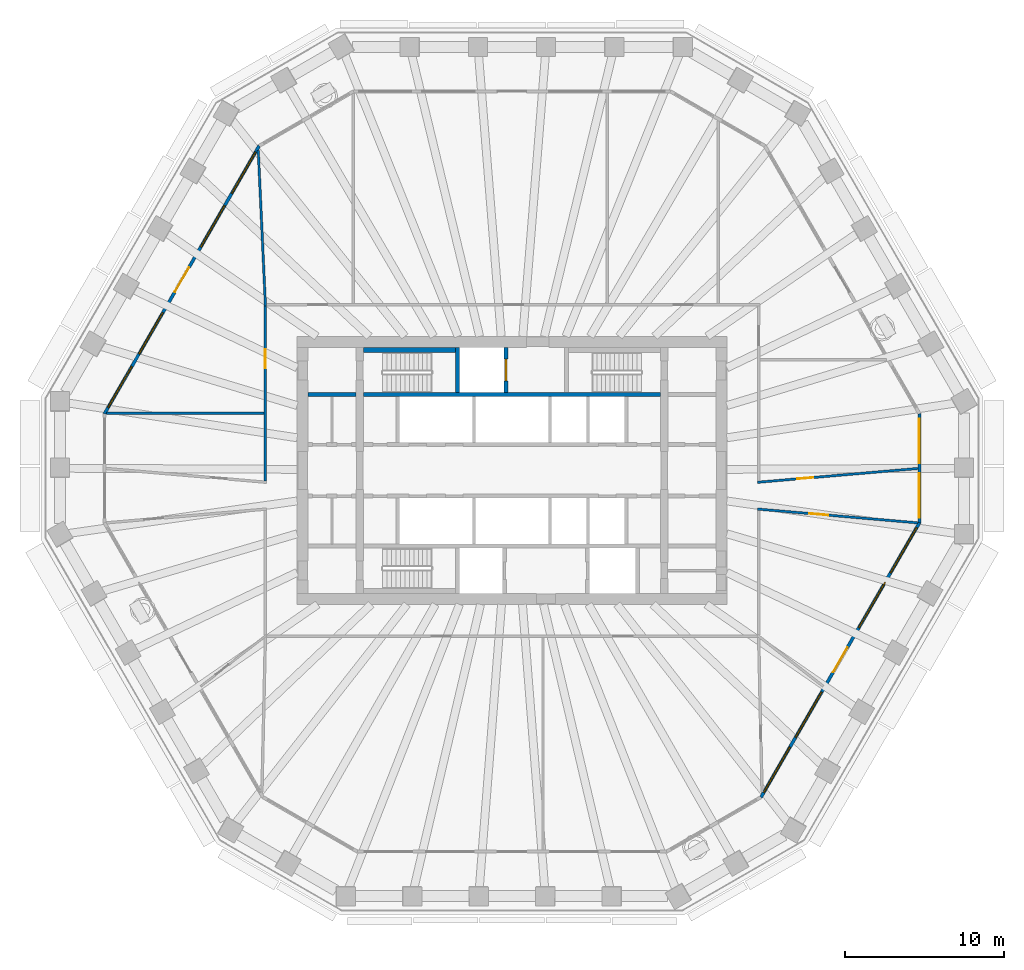
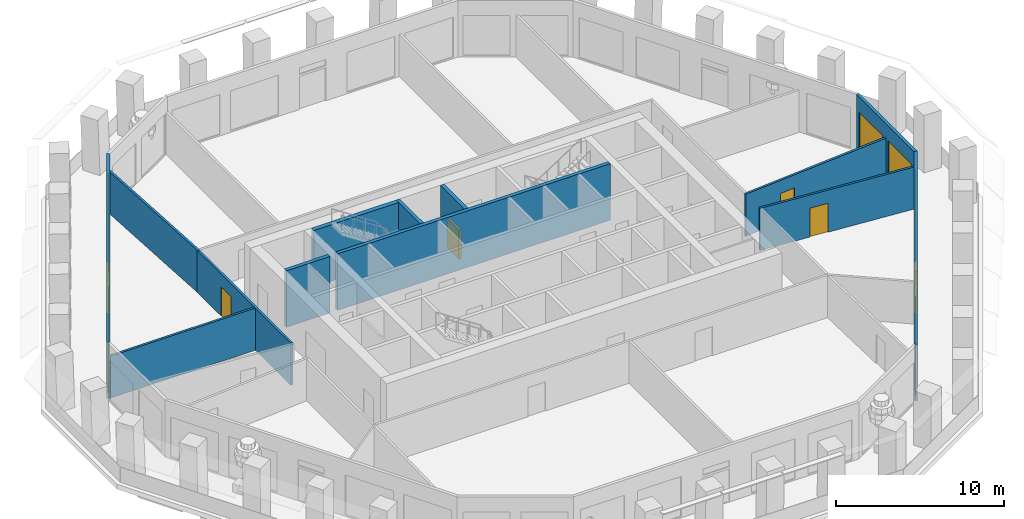
# One storey, part 6 of 12: 13 walls, 12 windows, 6 doors, 18 openings.
"""IFC4 building model written with IfcOpenShell, lengths in metres."""

from ifc_helpers import new_model, si_unit, direction, frame, frame_2d, origin, place, context, subcontext, project, spatial, polyline, rectangle, outline, extrude, material, layer, layer_set, type_object, element, fill, save


model = new_model("IFC4")

# Units and contexts
model_context = context("Model", 3, precision=1e-05, world=origin(), true_north=direction((0.0, 1.0)))
body_context = subcontext(model_context, "Body", "Model", "MODEL_VIEW")
ifc_project = project(units=[si_unit("LENGTHUNIT", "METRE"), si_unit("AREAUNIT", "SQUARE_METRE"), si_unit("VOLUMEUNIT", "CUBIC_METRE"), si_unit("PLANEANGLEUNIT", "RADIAN"), si_unit("MASSUNIT", "GRAM", prefix="KILO")], contexts=[model_context])

# Site, building, storey
site_placement = place(None, origin())
site = spatial("IfcSite", under=ifc_project, at=site_placement, CompositionType="ELEMENT")
building_placement = place(site_placement, origin())
building = spatial("IfcBuilding", under=site, at=building_placement, Name="Frailejon Research Tower", CompositionType="ELEMENT")
storey_placement = place(building_placement, frame((0.0, 0.0, 149.60009765625)))
storey = spatial("IfcBuildingStorey", under=building, at=storey_placement, Name="L32", CompositionType="ELEMENT", Elevation=149.60009765625)

# Wall, opening, door
ifc_material_1 = material(Name="Gypsum board and masonry partition", Category="masonry")
ifc_layer_1 = layer(ifc_material_1, 0.14990234375)
ifc_layer_set_1 = layer_set([ifc_layer_1], Name="Corridor wall EI 60, gypsum on steel studs 150")
wall_type_1 = type_object("IfcWallType", Name="Corridor wall EI 60, gypsum on steel studs 150", PredefinedType="PARTITIONING", material=ifc_layer_set_1)
wall_1_placement = place(storey_placement, frame((-15.550048828125, -0.668701171875, 0.0), z_axis=(0.0, 0.0, 1.0), x_axis=(0.0, 1.0, 0.0)))
wall_1 = element("IfcWall", 1, at=wall_1_placement, inside=storey, type_object=wall_type_1, Name="T:IW:L32:005", PredefinedType="PARTITIONING", context=body_context, shape_type="SweptSolid", body=[
    extrude(rectangle(XDim=11.193603515625, YDim=0.14990234375, at=frame_2d((5.5966796875, 0.0))), origin(), (0.0, 0.0, 1.0), 3.0498046875),
])
opening_1_placement = place(wall_1_placement, frame((7.094970703125, 0.0, 0.0)))
opening_1 = element("IfcOpeningElement", 2, at=opening_1_placement, cuts=wall_1, Name="Opening D1713", PredefinedType="OPENING", context=body_context, shape_type="SweptSolid", body=[
    extrude(rectangle(XDim=1.199951171875, YDim=2.10009765625, at=frame_2d((0.60009765625, 1.050048828125))), frame((0.0, 0.0849609375, 0.0), z_axis=(0.0, -1.0, 0.0), x_axis=(1.0, 0.0, 0.0)), (0.0, 0.0, 1.0), 0.169921875),
])
ifc_material_2 = material(Name="Timber door leaf", Category="wood")
door_type_1 = type_object("IfcDoorType", Name="Door laboratory, timber, vision panel 1200", OperationType="NOTDEFINED", PredefinedType="DOOR", material=ifc_material_2)
door_1_placement = place(opening_1_placement, origin())
door_1 = element("IfcDoor", 3, at=door_1_placement, inside=storey, type_object=door_type_1, Name="D1713", OperationType="DOUBLE_DOOR_SINGLE_SWING", OverallHeight=2.10009765625, OverallWidth=1.199951171875, PredefinedType="DOOR", context=body_context, shape_type="SweptSolid", body=[
    extrude(rectangle(XDim=1.199951171875, YDim=2.10009765625, at=frame_2d((0.60009765625, 1.050048828125))), frame((0.0, 0.02490234375, 0.0), z_axis=(0.0, -1.0, 0.0), x_axis=(1.0, 0.0, 0.0)), (0.0, 0.0, 1.0), 0.050048828125),
])
fill(opening_1, door_1)

wall_2_placement = place(storey_placement, frame((15.475341796875, -0.750244140625, 0.0), z_axis=(0.0, 0.0, 1.0), x_axis=(0.99631178891, 0.085806871974, 0.0)))
wall_2 = element("IfcWall", 4, at=wall_2_placement, inside=storey, type_object=wall_type_1, Name="T:IW:L32:009", PredefinedType="PARTITIONING", context=body_context, shape_type="SweptSolid", body=[
    extrude(rectangle(XDim=10.154541015625, YDim=0.14990234375, at=frame_2d((5.0771484375, 0.0))), origin(), (0.0, 0.0, 1.0), 3.0498046875),
])
opening_2_placement = place(wall_2_placement, frame((2.52001953125, 0.0, 0.0)))
opening_2 = element("IfcOpeningElement", 5, at=opening_2_placement, cuts=wall_2, Name="Opening D1708", PredefinedType="OPENING", context=body_context, shape_type="SweptSolid", body=[
    extrude(rectangle(XDim=1.0, YDim=2.10009765625, at=frame_2d((0.5, 1.050048828125))), frame((0.0, 0.0849609375, 0.0), z_axis=(0.0, -1.0, 0.0), x_axis=(1.0, 0.0, 0.0)), (0.0, 0.0, 1.0), 0.169921875),
])
ifc_material_3 = material(Name="Timber door leaf", Category="wood")
door_type_2 = type_object("IfcDoorType", Name="Door single leaf, timber, steel frame 1000", OperationType="NOTDEFINED", PredefinedType="DOOR", material=ifc_material_3)
door_2_placement = place(opening_2_placement, origin())
door_2 = element("IfcDoor", 6, at=door_2_placement, inside=storey, type_object=door_type_2, Name="D1708", OperationType="SINGLE_SWING_LEFT", OverallHeight=2.10009765625, OverallWidth=1.0, PredefinedType="DOOR", context=body_context, shape_type="SweptSolid", body=[
    extrude(rectangle(XDim=1.0, YDim=2.10009765625, at=frame_2d((0.5, 1.050048828125))), frame((0.0, 0.02490234375, 0.0), z_axis=(0.0, -1.0, 0.0), x_axis=(1.0, 0.0, 0.0)), (0.0, 0.0, 1.0), 0.050048828125),
])
fill(opening_2, door_2)

wall_3_placement = place(storey_placement, frame((15.475341796875, -2.437255859375, 0.0), z_axis=(0.0, 0.0, 1.0), x_axis=(0.99631166079, -0.085808359585, 0.0)))
wall_3 = element("IfcWall", 7, at=wall_3_placement, inside=storey, type_object=wall_type_1, Name="T:IW:L32:010", PredefinedType="PARTITIONING", context=body_context, shape_type="SweptSolid", body=[
    extrude(rectangle(XDim=10.134521484375, YDim=0.14990234375, at=frame_2d((5.0673828125, 0.0))), origin(), (0.0, 0.0, 1.0), 3.0498046875),
])
opening_3_placement = place(wall_3_placement, frame((3.281005859375, 0.0, 0.0)))
opening_3 = element("IfcOpeningElement", 8, at=opening_3_placement, cuts=wall_3, Name="Opening D1720", PredefinedType="OPENING", context=body_context, shape_type="SweptSolid", body=[
    extrude(rectangle(XDim=1.199951171875, YDim=2.10009765625, at=frame_2d((0.60009765625, 1.050048828125))), frame((0.0, 0.0849609375, 0.0), z_axis=(0.0, -1.0, 0.0), x_axis=(1.0, 0.0, 0.0)), (0.0, 0.0, 1.0), 0.169921875),
])
door_3_placement = place(opening_3_placement, origin())
door_3 = element("IfcDoor", 9, at=door_3_placement, inside=storey, type_object=door_type_1, Name="D1720", OperationType="DOUBLE_DOOR_SINGLE_SWING", OverallHeight=2.10009765625, OverallWidth=1.199951171875, PredefinedType="DOOR", context=body_context, shape_type="SweptSolid", body=[
    extrude(rectangle(XDim=1.199951171875, YDim=2.10009765625, at=frame_2d((0.60009765625, 1.050048828125))), frame((0.0, 0.02490234375, 0.0), z_axis=(0.0, -1.0, 0.0), x_axis=(1.0, 0.0, 0.0)), (0.0, 0.0, 1.0), 0.050048828125),
])
fill(opening_3, door_3)

# Walls
ifc_material_4 = material(Name="Gypsum board and masonry partition", Category="masonry")
ifc_layer_2 = layer(ifc_material_4, 0.14990234375)
ifc_layer_set_2 = layer_set([ifc_layer_2], Name="Laboratory partition, blockwork 150")
wall_type_2 = type_object("IfcWallType", Name="Laboratory partition, blockwork 150", PredefinedType="PARTITIONING", material=ifc_layer_set_2)
wall_4_placement = place(storey_placement, frame((-15.9990234375, 20.16552734375, 0.0), z_axis=(0.0, 0.0, 1.0), x_axis=(0.046182778753, -0.998933006235, 0.0)))
element("IfcWall", 10, at=wall_4_placement, inside=storey, type_object=wall_type_2, Name="T:IW:L32:015", PredefinedType="PARTITIONING", context=body_context, shape_type="SweptSolid", body=[
    extrude(rectangle(XDim=9.801025390625, YDim=0.14990234375, at=frame_2d((4.900390625, 0.0))), origin(), (0.0, 0.0, 1.0), 3.0498046875),
])
wall_5_placement = place(storey_placement, frame((-25.561767578125, 3.602294921875, 0.0), z_axis=(0.0, 0.0, 1.0), x_axis=(1.0, 0.0, 0.0)))
element("IfcWall", 11, at=wall_5_placement, inside=storey, type_object=wall_type_2, Name="T:IW:L32:016", PredefinedType="PARTITIONING", context=body_context, shape_type="SweptSolid", body=[
    extrude(rectangle(XDim=9.936767578125, YDim=0.14990234375, at=frame_2d((4.96826171875, 0.0))), origin(), (0.0, 0.0, 1.0), 3.0498046875),
])
ifc_material_5 = material(Name="Concrete C60/75", Category="concrete")
ifc_layer_3 = layer(ifc_material_5, 0.25)
ifc_layer_set_3 = layer_set([ifc_layer_3], Name="Shaft wall 250 C60/75")
wall_type_3 = type_object("IfcWallType", Name="Shaft wall 250 C60/75", PredefinedType="SOLIDWALL", material=ifc_layer_set_3)
wall_6_placement = place(storey_placement, frame((-12.85009765625, 4.77490234375, 0.0), z_axis=(0.0, 0.0, 1.0), x_axis=(1.0, 0.0, 0.0)))
element("IfcWall", 12, at=wall_6_placement, inside=storey, type_object=wall_type_3, Name="Shaft wall", PredefinedType="SOLIDWALL", context=body_context, shape_type="SweptSolid", body=[
    extrude(rectangle(XDim=3.0, YDim=0.25, at=frame_2d((1.5, 0.0))), origin(), (0.0, 0.0, 1.0), 4.099853515625),
])
wall_7_placement = place(storey_placement, frame((-9.35009765625, 4.77490234375, 0.0), z_axis=(0.0, 0.0, 1.0), x_axis=(1.0, 0.0, 0.0)))
element("IfcWall", 13, at=wall_7_placement, inside=storey, type_object=wall_type_3, Name="Shaft wall", PredefinedType="SOLIDWALL", context=body_context, shape_type="SweptSolid", body=[
    extrude(rectangle(XDim=18.7001953125, YDim=0.25, at=frame_2d((9.35009765625, 0.0))), origin(), (0.0, 0.0, 1.0), 4.099853515625),
])
wall_8_placement = place(storey_placement, frame((-3.425048828125, 4.89990234375, 0.0), z_axis=(0.0, 0.0, 1.0), x_axis=(0.0, 1.0, 0.0)))
element("IfcWall", 14, at=wall_8_placement, inside=storey, type_object=wall_type_3, Name="Shaft wall", PredefinedType="SOLIDWALL", context=body_context, shape_type="SweptSolid", body=[
    extrude(rectangle(XDim=2.85009765625, YDim=0.25, at=frame_2d((1.425048828125, 0.0))), origin(), (0.0, 0.0, 1.0), 4.099853515625),
])

# Wall, opening, door
wall_9_placement = place(storey_placement, frame((-0.375, 4.89990234375, 0.0), z_axis=(0.0, 0.0, 1.0), x_axis=(0.0, 1.0, 0.0)))
wall_9 = element("IfcWall", 15, at=wall_9_placement, inside=storey, type_object=wall_type_3, Name="Shaft wall", PredefinedType="SOLIDWALL", context=body_context, shape_type="SweptSolid", body=[
    extrude(rectangle(XDim=2.85009765625, YDim=0.25, at=frame_2d((1.425048828125, 0.0))), origin(), (0.0, 0.0, 1.0), 4.099853515625),
])
opening_4_placement = place(wall_9_placement, frame((0.72509765625, 0.0, 0.0)))
opening_4 = element("IfcOpeningElement", 16, at=opening_4_placement, cuts=wall_9, Name="Opening LD2", PredefinedType="OPENING", context=body_context, shape_type="SweptSolid", body=[
    extrude(rectangle(XDim=1.39990234375, YDim=2.10009765625, at=frame_2d((0.699951171875, 1.050048828125))), frame((0.0, 0.135009765625, 0.0), z_axis=(0.0, -1.0, 0.0), x_axis=(1.0, 0.0, 0.0)), (0.0, 0.0, 1.0), 0.27001953125),
])
ifc_material_6 = material(Name="Stainless steel", Category="steel")
door_type_3 = type_object("IfcDoorType", Name="Goods landing door", OperationType="DOUBLE_DOOR_SLIDING", PredefinedType="DOOR", material=ifc_material_6)
door_4_placement = place(opening_4_placement, origin())
door_4 = element("IfcDoor", 17, at=door_4_placement, inside=storey, type_object=door_type_3, Name="Lift landing door", OperationType="DOUBLE_DOOR_SLIDING", OverallHeight=2.10009765625, OverallWidth=1.39990234375, PredefinedType="DOOR", context=body_context, shape_type="SweptSolid", body=[
    extrude(rectangle(XDim=1.39990234375, YDim=2.10009765625, at=frame_2d((0.699951171875, 1.050048828125))), frame((0.0, 0.074951171875, 0.0), z_axis=(0.0, -1.0, 0.0), x_axis=(1.0, 0.0, 0.0)), (0.0, 0.0, 1.0), 0.14990234375),
])
fill(opening_4, door_4)

# Wall
ifc_material_7 = material(Name="Concrete C60/75", Category="concrete")
ifc_layer_4 = layer(ifc_material_7, 0.300048828125)
ifc_layer_set_4 = layer_set([ifc_layer_4], Name="Shaft wall 300 C60/75")
wall_type_4 = type_object("IfcWallType", Name="Shaft wall 300 C60/75", PredefinedType="SOLIDWALL", material=ifc_layer_set_4)
wall_10_placement = place(storey_placement, frame((-9.35009765625, 7.60009765625, 0.0), z_axis=(0.0, 0.0, 1.0), x_axis=(1.0, 0.0, 0.0)))
element("IfcWall", 18, at=wall_10_placement, inside=storey, type_object=wall_type_4, Name="Shaft wall", PredefinedType="SOLIDWALL", context=body_context, shape_type="SweptSolid", body=[
    extrude(rectangle(XDim=5.800048828125, YDim=0.300048828125, at=frame_2d((2.89990234375, 0.0))), origin(), (0.0, 0.0, 1.0), 4.099853515625),
])

# Wall, openings, windows
ifc_material_8 = material(Name="Concrete C40/50 precast window wall panel", Category="concrete")
ifc_layer_5 = layer(ifc_material_8, 0.199951171875)
ifc_layer_set_5 = layer_set([ifc_layer_5], Name="Window wall 200")
wall_type_5 = type_object("IfcWallType", Name="Window wall 200", PredefinedType="SOLIDWALL", material=ifc_layer_set_5)
wall_11_placement = place(storey_placement, frame((25.692626953125, -3.299072265625, 0.0), z_axis=(0.0, 0.0, 1.0), x_axis=(0.0, 1.0, 0.0)))
wall_11 = element("IfcWall", 19, at=wall_11_placement, inside=storey, type_object=wall_type_5, Name="Exterior wall L32", PredefinedType="SOLIDWALL", context=body_context, shape_type="SweptSolid", body=[
    extrude(outline(polyline([(-0.02685546875, -0.10009765625), (1.1279296875, -0.10009765625), (2.28271484375, -0.10009765625), (3.4375, -0.10009765625), (4.592041015625, -0.10009765625), (5.746826171875, -0.10009765625), (6.901611328125, -0.10009765625), (6.847900390625, 0.10009765625), (5.7109375, 0.10009765625), (4.57421875, 0.10009765625), (3.4375, 0.10009765625), (2.300537109375, 0.10009765625), (1.16357421875, 0.10009765625), (0.02685546875, 0.10009765625), (-0.02685546875, -0.10009765625)])), origin(), (0.0, 0.0, 1.0), 4.099853515625),
])
opening_5_placement = place(wall_11_placement, frame((0.318603515625, 0.0, 0.10009765625)))
opening_5 = element("IfcOpeningElement", 20, at=opening_5_placement, cuts=wall_11, Name="Opening W3", PredefinedType="OPENING", context=body_context, shape_type="SweptSolid", body=[
    extrude(rectangle(XDim=2.800048828125, YDim=2.89990234375, at=frame_2d((1.39990234375, 1.449951171875))), frame((0.0, 0.10986328125, 0.0), z_axis=(0.0, -1.0, 0.0), x_axis=(1.0, 0.0, 0.0)), (0.0, 0.0, 1.0), 0.219970703125),
])
opening_6_placement = place(wall_11_placement, frame((3.756103515625, 0.0, 0.10009765625)))
opening_6 = element("IfcOpeningElement", 21, at=opening_6_placement, cuts=wall_11, Name="Opening W3", PredefinedType="OPENING", context=body_context, shape_type="SweptSolid", body=[
    extrude(rectangle(XDim=2.800048828125, YDim=2.89990234375, at=frame_2d((1.39990234375, 1.449951171875))), frame((0.0, 0.10986328125, 0.0), z_axis=(0.0, -1.0, 0.0), x_axis=(1.0, 0.0, 0.0)), (0.0, 0.0, 1.0), 0.219970703125),
])
ifc_material_9 = material(Name="Aluminium framed double glazing", Category="aluminium")
window_type_1 = type_object("IfcWindowType", Name="Window 2800x2900", PartitioningType="SINGLE_PANEL", PredefinedType="WINDOW", material=ifc_material_9)
window_1_placement = place(opening_5_placement, origin())
window_1 = element("IfcWindow", 22, at=window_1_placement, inside=storey, type_object=window_type_1, Name="Window L32", OverallHeight=2.89990234375, OverallWidth=2.800048828125, PartitioningType="SINGLE_PANEL", PredefinedType="WINDOW", context=body_context, shape_type="SweptSolid", body=[
    extrude(rectangle(XDim=2.800048828125, YDim=2.89990234375, at=frame_2d((1.39990234375, 1.449951171875))), frame((0.0, 0.030029296875, 0.0), z_axis=(0.0, -1.0, 0.0), x_axis=(1.0, 0.0, 0.0)), (0.0, 0.0, 1.0), 0.06005859375),
])
fill(opening_5, window_1)
window_2_placement = place(opening_6_placement, origin())
window_2 = element("IfcWindow", 23, at=window_2_placement, inside=storey, type_object=window_type_1, Name="Window L32", OverallHeight=2.89990234375, OverallWidth=2.800048828125, PartitioningType="SINGLE_PANEL", PredefinedType="WINDOW", context=body_context, shape_type="SweptSolid", body=[
    extrude(rectangle(XDim=2.800048828125, YDim=2.89990234375, at=frame_2d((1.39990234375, 1.449951171875))), frame((0.0, 0.030029296875, 0.0), z_axis=(0.0, -1.0, 0.0), x_axis=(1.0, 0.0, 0.0)), (0.0, 0.0, 1.0), 0.06005859375),
])
fill(opening_6, window_2)

# Wall, openings, door, windows
wall_12_placement = place(storey_placement, frame((-15.94287109375, 20.462646484375, 0.0), z_axis=(0.0, 0.0, 1.0), x_axis=(-0.500002434251, -0.866023998365, 0.0)))
wall_12 = element("IfcWall", 24, at=wall_12_placement, inside=storey, type_object=wall_type_5, Name="Exterior wall L32", PredefinedType="SOLIDWALL", context=body_context, shape_type="SweptSolid", body=[
    extrude(outline(polyline([(-0.02685546875, -0.10009765625), (1.002197265625, -0.10009765625), (2.031494140625, -0.10009765625), (3.060546875, -0.10009765625), (4.089599609375, -0.10009765625), (5.11865234375, -0.10009765625), (6.14794921875, -0.10009765625), (7.177001953125, -0.10009765625), (8.2060546875, -0.10009765625), (9.235107421875, -0.10009765625), (10.264404296875, -0.10009765625), (11.29345703125, -0.10009765625), (12.322509765625, -0.10009765625), (13.3515625, -0.10009765625), (14.380859375, -0.10009765625), (15.409912109375, -0.10009765625), (16.43896484375, -0.10009765625), (17.468017578125, -0.10009765625), (18.497314453125, -0.10009765625), (19.5263671875, -0.10009765625), (19.47265625, 0.10009765625), (18.44921875, 0.10009765625), (17.42578125, 0.10009765625), (16.40234375, 0.10009765625), (15.37890625, 0.10009765625), (14.355224609375, 0.10009765625), (13.331787109375, 0.10009765625), (12.308349609375, 0.10009765625), (11.284912109375, 0.10009765625), (10.261474609375, 0.10009765625), (9.238037109375, 0.10009765625), (8.214599609375, 0.10009765625), (7.191162109375, 0.10009765625), (6.167724609375, 0.10009765625), (5.144287109375, 0.10009765625), (4.12060546875, 0.10009765625), (3.09716796875, 0.10009765625), (2.07373046875, 0.10009765625), (1.05029296875, 0.10009765625), (0.02685546875, 0.10009765625), (-0.02685546875, -0.10009765625)])), origin(), (0.0, 0.0, 1.0), 4.099853515625),
])
opening_7_placement = place(wall_12_placement, frame((0.449951171875, 0.0, 0.10009765625)))
opening_7 = element("IfcOpeningElement", 25, at=opening_7_placement, cuts=wall_12, Name="Opening W4", PredefinedType="OPENING", context=body_context, shape_type="SweptSolid", body=[
    extrude(rectangle(XDim=3.0, YDim=2.89990234375, at=frame_2d((1.5, 1.449951171875))), frame((0.0, 0.10986328125, 0.0), z_axis=(0.0, -1.0, 0.0), x_axis=(1.0, 0.0, 0.0)), (0.0, 0.0, 1.0), 0.219970703125),
])
opening_8_placement = place(wall_12_placement, frame((4.349853515625, 0.0, 0.10009765625)))
opening_8 = element("IfcOpeningElement", 26, at=opening_8_placement, cuts=wall_12, Name="Opening W4", PredefinedType="OPENING", context=body_context, shape_type="SweptSolid", body=[
    extrude(rectangle(XDim=3.0, YDim=2.89990234375, at=frame_2d((1.5, 1.449951171875))), frame((0.0, 0.10986328125, 0.0), z_axis=(0.0, -1.0, 0.0), x_axis=(1.0, 0.0, 0.0)), (0.0, 0.0, 1.0), 0.219970703125),
])
opening_9_placement = place(wall_12_placement, frame((8.849853515625, 0.0, 0.0)))
opening_9 = element("IfcOpeningElement", 27, at=opening_9_placement, cuts=wall_12, Name="Opening LG32-3", PredefinedType="OPENING", context=body_context, shape_type="SweptSolid", body=[
    extrude(rectangle(XDim=1.800048828125, YDim=2.39990234375, at=frame_2d((0.89990234375, 1.199951171875))), frame((0.0, 0.10986328125, 0.0), z_axis=(0.0, -1.0, 0.0), x_axis=(1.0, 0.0, 0.0)), (0.0, 0.0, 1.0), 0.219970703125),
])
opening_10_placement = place(wall_12_placement, frame((8.849853515625, 0.0, 2.550048828125)))
opening_10 = element("IfcOpeningElement", 28, at=opening_10_placement, cuts=wall_12, Name="Opening W1", PredefinedType="OPENING", context=body_context, shape_type="SweptSolid", body=[
    extrude(rectangle(XDim=1.800048828125, YDim=0.449951171875, at=frame_2d((0.89990234375, 0.22509765625))), frame((0.0, 0.10986328125, 0.0), z_axis=(0.0, -1.0, 0.0), x_axis=(1.0, 0.0, 0.0)), (0.0, 0.0, 1.0), 0.219970703125),
])
opening_11_placement = place(wall_12_placement, frame((12.149658203125, 0.0, 0.10009765625)))
opening_11 = element("IfcOpeningElement", 29, at=opening_11_placement, cuts=wall_12, Name="Opening W4", PredefinedType="OPENING", context=body_context, shape_type="SweptSolid", body=[
    extrude(rectangle(XDim=3.0, YDim=2.89990234375, at=frame_2d((1.5, 1.449951171875))), frame((0.0, 0.10986328125, 0.0), z_axis=(0.0, -1.0, 0.0), x_axis=(1.0, 0.0, 0.0)), (0.0, 0.0, 1.0), 0.219970703125),
])
opening_12_placement = place(wall_12_placement, frame((16.049560546875, 0.0, 0.10009765625)))
opening_12 = element("IfcOpeningElement", 30, at=opening_12_placement, cuts=wall_12, Name="Opening W4", PredefinedType="OPENING", context=body_context, shape_type="SweptSolid", body=[
    extrude(rectangle(XDim=3.0, YDim=2.89990234375, at=frame_2d((1.5, 1.449951171875))), frame((0.0, 0.10986328125, 0.0), z_axis=(0.0, -1.0, 0.0), x_axis=(1.0, 0.0, 0.0)), (0.0, 0.0, 1.0), 0.219970703125),
])
ifc_material_10 = material(Name="Aluminium framed glazed door leaf", Category="aluminium")
door_type_4 = type_object("IfcDoorType", Name="Loggia door 1800x2400", OperationType="DOUBLE_DOOR_SINGLE_SWING", PredefinedType="DOOR", material=ifc_material_10)
door_5_placement = place(opening_9_placement, origin())
door_5 = element("IfcDoor", 31, at=door_5_placement, inside=storey, type_object=door_type_4, Name="Door LG32-3", OperationType="DOUBLE_DOOR_SINGLE_SWING", OverallHeight=2.39990234375, OverallWidth=1.800048828125, PredefinedType="DOOR", context=body_context, shape_type="SweptSolid", body=[
    extrude(rectangle(XDim=1.800048828125, YDim=2.39990234375, at=frame_2d((0.89990234375, 1.199951171875))), frame((0.0, 0.02490234375, 0.0), z_axis=(0.0, -1.0, 0.0), x_axis=(1.0, 0.0, 0.0)), (0.0, 0.0, 1.0), 0.050048828125),
])
fill(opening_9, door_5)
ifc_material_11 = material(Name="Aluminium framed double glazing", Category="aluminium")
window_type_2 = type_object("IfcWindowType", Name="Window 1800x450", PartitioningType="SINGLE_PANEL", PredefinedType="WINDOW", material=ifc_material_11)
window_3_placement = place(opening_10_placement, origin())
window_3 = element("IfcWindow", 32, at=window_3_placement, inside=storey, type_object=window_type_2, Name="Window L32", OverallHeight=0.449951171875, OverallWidth=1.800048828125, PartitioningType="SINGLE_PANEL", PredefinedType="WINDOW", context=body_context, shape_type="SweptSolid", body=[
    extrude(rectangle(XDim=1.800048828125, YDim=0.449951171875, at=frame_2d((0.89990234375, 0.22509765625))), frame((0.0, 0.030029296875, 0.0), z_axis=(0.0, -1.0, 0.0), x_axis=(1.0, 0.0, 0.0)), (0.0, 0.0, 1.0), 0.06005859375),
])
fill(opening_10, window_3)
ifc_material_12 = material(Name="Aluminium framed double glazing", Category="aluminium")
window_type_3 = type_object("IfcWindowType", Name="Window 3000x2900", PartitioningType="SINGLE_PANEL", PredefinedType="WINDOW", material=ifc_material_12)
window_4_placement = place(opening_7_placement, origin())
window_4 = element("IfcWindow", 33, at=window_4_placement, inside=storey, type_object=window_type_3, Name="Window L32", OverallHeight=2.89990234375, OverallWidth=3.0, PartitioningType="SINGLE_PANEL", PredefinedType="WINDOW", context=body_context, shape_type="SweptSolid", body=[
    extrude(rectangle(XDim=3.0, YDim=2.89990234375, at=frame_2d((1.5, 1.449951171875))), frame((0.0, 0.030029296875, 0.0), z_axis=(0.0, -1.0, 0.0), x_axis=(1.0, 0.0, 0.0)), (0.0, 0.0, 1.0), 0.06005859375),
])
fill(opening_7, window_4)
window_5_placement = place(opening_8_placement, origin())
window_5 = element("IfcWindow", 34, at=window_5_placement, inside=storey, type_object=window_type_3, Name="Window L32", OverallHeight=2.89990234375, OverallWidth=3.0, PartitioningType="SINGLE_PANEL", PredefinedType="WINDOW", context=body_context, shape_type="SweptSolid", body=[
    extrude(rectangle(XDim=3.0, YDim=2.89990234375, at=frame_2d((1.5, 1.449951171875))), frame((0.0, 0.030029296875, 0.0), z_axis=(0.0, -1.0, 0.0), x_axis=(1.0, 0.0, 0.0)), (0.0, 0.0, 1.0), 0.06005859375),
])
fill(opening_8, window_5)
window_6_placement = place(opening_11_placement, origin())
window_6 = element("IfcWindow", 35, at=window_6_placement, inside=storey, type_object=window_type_3, Name="Window L32", OverallHeight=2.89990234375, OverallWidth=3.0, PartitioningType="SINGLE_PANEL", PredefinedType="WINDOW", context=body_context, shape_type="SweptSolid", body=[
    extrude(rectangle(XDim=3.0, YDim=2.89990234375, at=frame_2d((1.5, 1.449951171875))), frame((0.0, 0.030029296875, 0.0), z_axis=(0.0, -1.0, 0.0), x_axis=(1.0, 0.0, 0.0)), (0.0, 0.0, 1.0), 0.06005859375),
])
fill(opening_11, window_6)
window_7_placement = place(opening_12_placement, origin())
window_7 = element("IfcWindow", 36, at=window_7_placement, inside=storey, type_object=window_type_3, Name="Window L32", OverallHeight=2.89990234375, OverallWidth=3.0, PartitioningType="SINGLE_PANEL", PredefinedType="WINDOW", context=body_context, shape_type="SweptSolid", body=[
    extrude(rectangle(XDim=3.0, YDim=2.89990234375, at=frame_2d((1.5, 1.449951171875))), frame((0.0, 0.030029296875, 0.0), z_axis=(0.0, -1.0, 0.0), x_axis=(1.0, 0.0, 0.0)), (0.0, 0.0, 1.0), 0.06005859375),
])
fill(opening_12, window_7)

wall_13_placement = place(storey_placement, frame((15.703369140625, -20.60107421875, 0.0), z_axis=(0.0, 0.0, 1.0), x_axis=(0.499997834957, 0.866026653769, 0.0)))
wall_13 = element("IfcWall", 37, at=wall_13_placement, inside=storey, type_object=wall_type_5, Name="Exterior wall L32", PredefinedType="SOLIDWALL", context=body_context, shape_type="SweptSolid", body=[
    extrude(outline(polyline([(-0.02685546875, -0.10009765625), (1.027587890625, -0.10009765625), (2.081787109375, -0.10009765625), (3.13623046875, -0.10009765625), (4.1904296875, -0.10009765625), (5.244873046875, -0.10009765625), (6.299072265625, -0.10009765625), (7.353515625, -0.10009765625), (8.40771484375, -0.10009765625), (9.462158203125, -0.10009765625), (10.516357421875, -0.10009765625), (11.57080078125, -0.10009765625), (12.625, -0.10009765625), (13.679443359375, -0.10009765625), (14.733642578125, -0.10009765625), (15.7880859375, -0.10009765625), (16.84228515625, -0.10009765625), (17.896728515625, -0.10009765625), (18.950927734375, -0.10009765625), (20.00537109375, -0.10009765625), (19.95166015625, 0.10009765625), (18.903076171875, 0.10009765625), (17.854248046875, 0.10009765625), (16.8056640625, 0.10009765625), (15.757080078125, 0.10009765625), (14.708251953125, 0.10009765625), (13.65966796875, 0.10009765625), (12.61083984375, 0.10009765625), (11.562255859375, 0.10009765625), (10.513671875, 0.10009765625), (9.46484375, 0.10009765625), (8.416259765625, 0.10009765625), (7.36767578125, 0.10009765625), (6.31884765625, 0.10009765625), (5.270263671875, 0.10009765625), (4.221435546875, 0.10009765625), (3.1728515625, 0.10009765625), (2.124267578125, 0.10009765625), (1.075439453125, 0.10009765625), (0.02685546875, 0.10009765625), (-0.02685546875, -0.10009765625)])), origin(), (0.0, 0.0, 1.0), 4.099853515625),
])
opening_13_placement = place(wall_13_placement, frame((0.347900390625, 0.0, 0.10009765625)))
opening_13 = element("IfcOpeningElement", 38, at=opening_13_placement, cuts=wall_13, Name="Opening W5", PredefinedType="OPENING", context=body_context, shape_type="SweptSolid", body=[
    extrude(rectangle(XDim=3.300048828125, YDim=2.89990234375, at=frame_2d((1.64990234375, 1.449951171875))), frame((0.0, 0.10986328125, 0.0), z_axis=(0.0, -1.0, 0.0), x_axis=(1.0, 0.0, 0.0)), (0.0, 0.0, 1.0), 0.219970703125),
])
opening_14_placement = place(wall_13_placement, frame((4.343505859375, 0.0, 0.10009765625)))
opening_14 = element("IfcOpeningElement", 39, at=opening_14_placement, cuts=wall_13, Name="Opening W5", PredefinedType="OPENING", context=body_context, shape_type="SweptSolid", body=[
    extrude(rectangle(XDim=3.300048828125, YDim=2.89990234375, at=frame_2d((1.64990234375, 1.449951171875))), frame((0.0, 0.10986328125, 0.0), z_axis=(0.0, -1.0, 0.0), x_axis=(1.0, 0.0, 0.0)), (0.0, 0.0, 1.0), 0.219970703125),
])
opening_15_placement = place(wall_13_placement, frame((9.08935546875, 0.0, 0.0)))
opening_15 = element("IfcOpeningElement", 40, at=opening_15_placement, cuts=wall_13, Name="Opening LG32-6", PredefinedType="OPENING", context=body_context, shape_type="SweptSolid", body=[
    extrude(rectangle(XDim=1.800048828125, YDim=2.39990234375, at=frame_2d((0.89990234375, 1.199951171875))), frame((0.0, 0.10986328125, 0.0), z_axis=(0.0, -1.0, 0.0), x_axis=(1.0, 0.0, 0.0)), (0.0, 0.0, 1.0), 0.219970703125),
])
opening_16_placement = place(wall_13_placement, frame((9.08935546875, 0.0, 2.550048828125)))
opening_16 = element("IfcOpeningElement", 41, at=opening_16_placement, cuts=wall_13, Name="Opening W1", PredefinedType="OPENING", context=body_context, shape_type="SweptSolid", body=[
    extrude(rectangle(XDim=1.800048828125, YDim=0.449951171875, at=frame_2d((0.89990234375, 0.22509765625))), frame((0.0, 0.10986328125, 0.0), z_axis=(0.0, -1.0, 0.0), x_axis=(1.0, 0.0, 0.0)), (0.0, 0.0, 1.0), 0.219970703125),
])
opening_17_placement = place(wall_13_placement, frame((12.3349609375, 0.0, 0.10009765625)))
opening_17 = element("IfcOpeningElement", 42, at=opening_17_placement, cuts=wall_13, Name="Opening W5", PredefinedType="OPENING", context=body_context, shape_type="SweptSolid", body=[
    extrude(rectangle(XDim=3.300048828125, YDim=2.89990234375, at=frame_2d((1.64990234375, 1.449951171875))), frame((0.0, 0.10986328125, 0.0), z_axis=(0.0, -1.0, 0.0), x_axis=(1.0, 0.0, 0.0)), (0.0, 0.0, 1.0), 0.219970703125),
])
opening_18_placement = place(wall_13_placement, frame((16.330810546875, 0.0, 0.10009765625)))
opening_18 = element("IfcOpeningElement", 43, at=opening_18_placement, cuts=wall_13, Name="Opening W5", PredefinedType="OPENING", context=body_context, shape_type="SweptSolid", body=[
    extrude(rectangle(XDim=3.300048828125, YDim=2.89990234375, at=frame_2d((1.64990234375, 1.449951171875))), frame((0.0, 0.10986328125, 0.0), z_axis=(0.0, -1.0, 0.0), x_axis=(1.0, 0.0, 0.0)), (0.0, 0.0, 1.0), 0.219970703125),
])
door_6_placement = place(opening_15_placement, origin())
door_6 = element("IfcDoor", 44, at=door_6_placement, inside=storey, type_object=door_type_4, Name="Door LG32-6", OperationType="DOUBLE_DOOR_SINGLE_SWING", OverallHeight=2.39990234375, OverallWidth=1.800048828125, PredefinedType="DOOR", context=body_context, shape_type="SweptSolid", body=[
    extrude(rectangle(XDim=1.800048828125, YDim=2.39990234375, at=frame_2d((0.89990234375, 1.199951171875))), frame((0.0, 0.02490234375, 0.0), z_axis=(0.0, -1.0, 0.0), x_axis=(1.0, 0.0, 0.0)), (0.0, 0.0, 1.0), 0.050048828125),
])
fill(opening_15, door_6)
window_8_placement = place(opening_16_placement, origin())
window_8 = element("IfcWindow", 45, at=window_8_placement, inside=storey, type_object=window_type_2, Name="Window L32", OverallHeight=0.449951171875, OverallWidth=1.800048828125, PartitioningType="SINGLE_PANEL", PredefinedType="WINDOW", context=body_context, shape_type="SweptSolid", body=[
    extrude(rectangle(XDim=1.800048828125, YDim=0.449951171875, at=frame_2d((0.89990234375, 0.22509765625))), frame((0.0, 0.030029296875, 0.0), z_axis=(0.0, -1.0, 0.0), x_axis=(1.0, 0.0, 0.0)), (0.0, 0.0, 1.0), 0.06005859375),
])
fill(opening_16, window_8)
ifc_material_13 = material(Name="Aluminium framed double glazing", Category="aluminium")
window_type_4 = type_object("IfcWindowType", Name="Window 3300x2900", PartitioningType="SINGLE_PANEL", PredefinedType="WINDOW", material=ifc_material_13)
window_9_placement = place(opening_13_placement, origin())
window_9 = element("IfcWindow", 46, at=window_9_placement, inside=storey, type_object=window_type_4, Name="Window L32", OverallHeight=2.89990234375, OverallWidth=3.300048828125, PartitioningType="SINGLE_PANEL", PredefinedType="WINDOW", context=body_context, shape_type="SweptSolid", body=[
    extrude(rectangle(XDim=3.300048828125, YDim=2.89990234375, at=frame_2d((1.64990234375, 1.449951171875))), frame((0.0, 0.030029296875, 0.0), z_axis=(0.0, -1.0, 0.0), x_axis=(1.0, 0.0, 0.0)), (0.0, 0.0, 1.0), 0.06005859375),
])
fill(opening_13, window_9)
window_10_placement = place(opening_14_placement, origin())
window_10 = element("IfcWindow", 47, at=window_10_placement, inside=storey, type_object=window_type_4, Name="Window L32", OverallHeight=2.89990234375, OverallWidth=3.300048828125, PartitioningType="SINGLE_PANEL", PredefinedType="WINDOW", context=body_context, shape_type="SweptSolid", body=[
    extrude(rectangle(XDim=3.300048828125, YDim=2.89990234375, at=frame_2d((1.64990234375, 1.449951171875))), frame((0.0, 0.030029296875, 0.0), z_axis=(0.0, -1.0, 0.0), x_axis=(1.0, 0.0, 0.0)), (0.0, 0.0, 1.0), 0.06005859375),
])
fill(opening_14, window_10)
window_11_placement = place(opening_17_placement, origin())
window_11 = element("IfcWindow", 48, at=window_11_placement, inside=storey, type_object=window_type_4, Name="Window L32", OverallHeight=2.89990234375, OverallWidth=3.300048828125, PartitioningType="SINGLE_PANEL", PredefinedType="WINDOW", context=body_context, shape_type="SweptSolid", body=[
    extrude(rectangle(XDim=3.300048828125, YDim=2.89990234375, at=frame_2d((1.64990234375, 1.449951171875))), frame((0.0, 0.030029296875, 0.0), z_axis=(0.0, -1.0, 0.0), x_axis=(1.0, 0.0, 0.0)), (0.0, 0.0, 1.0), 0.06005859375),
])
fill(opening_17, window_11)
window_12_placement = place(opening_18_placement, origin())
window_12 = element("IfcWindow", 49, at=window_12_placement, inside=storey, type_object=window_type_4, Name="Window L32", OverallHeight=2.89990234375, OverallWidth=3.300048828125, PartitioningType="SINGLE_PANEL", PredefinedType="WINDOW", context=body_context, shape_type="SweptSolid", body=[
    extrude(rectangle(XDim=3.300048828125, YDim=2.89990234375, at=frame_2d((1.64990234375, 1.449951171875))), frame((0.0, 0.030029296875, 0.0), z_axis=(0.0, -1.0, 0.0), x_axis=(1.0, 0.0, 0.0)), (0.0, 0.0, 1.0), 0.06005859375),
])
fill(opening_18, window_12)

save(model, "model.ifc")
